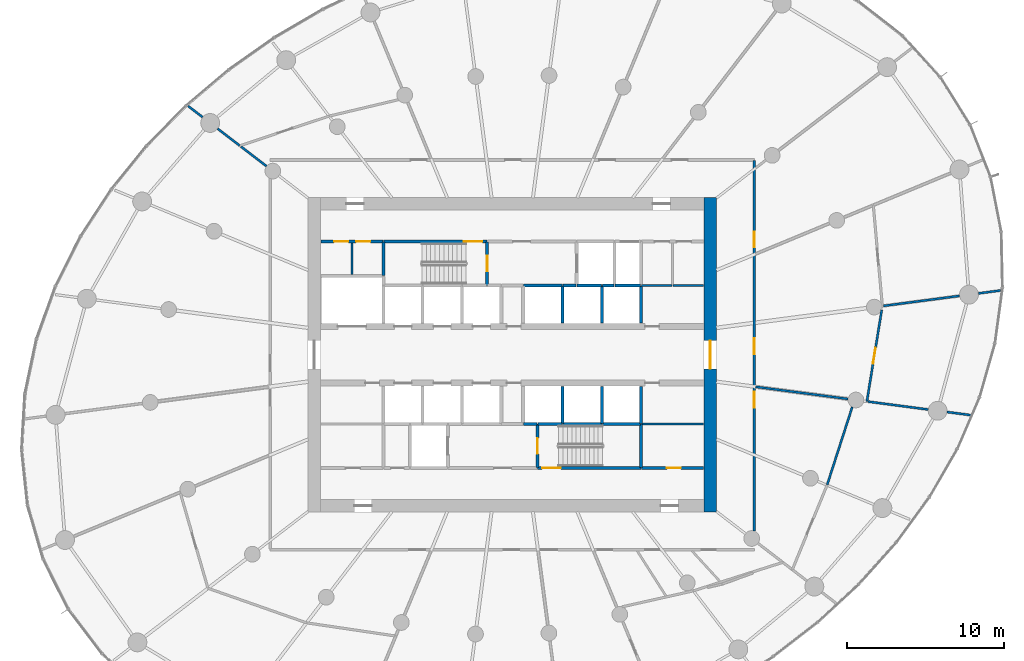
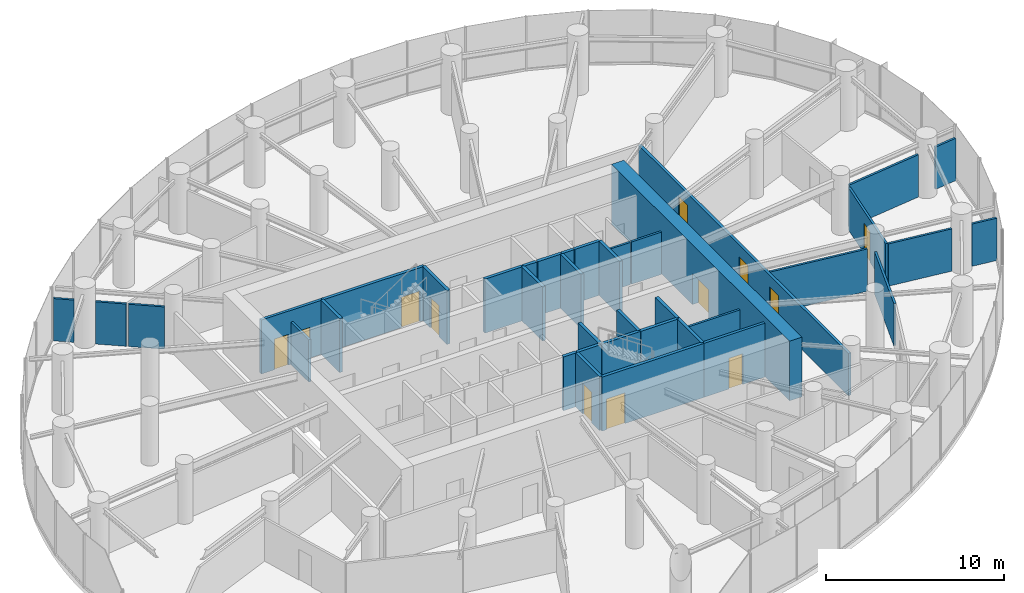
# One storey, part 12 of 17: 39 walls, 12 doors, 12 openings.
"""IFC4 building model written with IfcOpenShell, lengths in metres."""

from ifc_helpers import new_model, si_unit, direction, frame, frame_2d, origin, place, context, subcontext, project, spatial, rectangle, extrude, source, transform, mapped, material, layer, layer_set, type_object, element, fill, save


model = new_model("IFC4")

# Units and contexts
model_context = context("Model", 3, precision=1e-05, world=origin(), true_north=direction((0.0, 1.0)))
body_context = subcontext(model_context, "Body", "Model", "MODEL_VIEW")
ifc_project = project(units=[si_unit("LENGTHUNIT", "METRE"), si_unit("AREAUNIT", "SQUARE_METRE"), si_unit("VOLUMEUNIT", "CUBIC_METRE"), si_unit("PLANEANGLEUNIT", "RADIAN"), si_unit("MASSUNIT", "GRAM", prefix="KILO")], contexts=[model_context])

# Site, building, storey
site_placement = place(None, origin())
site = spatial("IfcSite", under=ifc_project, at=site_placement, CompositionType="ELEMENT")
building_placement = place(site_placement, origin())
building = spatial("IfcBuilding", under=site, at=building_placement, Name="Spindrift Exchange Tower", CompositionType="ELEMENT")
storey_placement = place(building_placement, frame((0.0, 0.0, 100.300048828125)))
storey = spatial("IfcBuildingStorey", under=building, at=storey_placement, Name="L23", CompositionType="ELEMENT", Elevation=100.300048828125)

# Wall, opening, door
ifc_material_1 = material(Name="Concrete 65 MPa", Category="concrete")
ifc_layer_1 = layer(ifc_material_1, 0.800048828125)
ifc_layer_set_1 = layer_set([ifc_layer_1], Name="RC Core Wall 800 Concrete 65 MPa")
wall_type_1 = type_object("IfcWallType", Name="RC Core Wall 800 Concrete 65 MPa", PredefinedType="SHEAR", material=ifc_layer_set_1)
wall_1_placement = place(storey_placement, frame((64.60009765625, 38.0, 0.0), z_axis=(0.0, 0.0, 1.0), x_axis=(0.0, 1.0, 0.0)))
wall_1 = element("IfcWall", 1, at=wall_1_placement, inside=storey, type_object=wall_type_1, Name="Core wall E L23", PredefinedType="SHEAR", context=body_context, shape_type="SweptSolid", body=[
    extrude(rectangle(XDim=20.0, YDim=0.800048828125, at=frame_2d((10.0, 0.0))), origin(), (0.0, 0.0, 1.0), 4.099853515625),
])
opening_1_placement = place(wall_1_placement, frame((9.10009765625, 0.0, 0.0)))
opening_1 = element("IfcOpeningElement", 2, at=opening_1_placement, cuts=wall_1, Name="Opening L23-D2", PredefinedType="OPENING", context=body_context, shape_type="SweptSolid", body=[
    extrude(rectangle(XDim=1.800048828125, YDim=2.10009765625, at=frame_2d((0.89990234375, 1.050048828125))), frame((0.0, 0.409912109375, 0.0), z_axis=(0.0, -1.0, 0.0), x_axis=(1.0, 0.0, 0.0)), (0.0, 0.0, 1.0), 0.820068359375),
])
ifc_material_2 = material(Name="Timber-core fire door", Category="wood")
door_type_1 = type_object("IfcDoorType", Name="DR-LOBBY-1800", OperationType="NOTDEFINED", PredefinedType="DOOR", material=ifc_material_2)
shared_shape_1 = source(origin(), body_context, "Body", "SweptSolid", [
    extrude(rectangle(XDim=1.800048828125, YDim=2.10009765625, at=frame_2d((0.89990234375, 1.050048828125))), frame((0.0, 0.02490234375, 0.0), z_axis=(0.0, -1.0, 0.0), x_axis=(1.0, 0.0, 0.0)), (0.0, 0.0, 1.0), 0.050048828125),
])
door_1_placement = place(opening_1_placement, origin())
door_1 = element("IfcDoor", 3, at=door_1_placement, inside=storey, type_object=door_type_1, Name="L23 Lobby door 2", OperationType="SINGLE_SWING_RIGHT", OverallHeight=2.10009765625, OverallWidth=1.800048828125, PredefinedType="DOOR", context=body_context, shape_type="MappedRepresentation", body=[
    mapped(shared_shape_1, transform((0.0, 0.0, 0.0), scale=1.0)),
])
fill(opening_1, door_1)

ifc_material_3 = material(Name="Fire-rated plasterboard partition", Category="gypsum")
ifc_layer_2 = layer(ifc_material_3, 0.179931640625)
ifc_layer_set_2 = layer_set([ifc_layer_2], Name="W-CORR-180")
wall_type_2 = type_object("IfcWallType", Name="W-CORR-180", PredefinedType="PARTITIONING", material=ifc_layer_set_2)
wall_2_placement = place(storey_placement, frame((60.22998046875, 40.800048828125, 0.0), z_axis=(0.0, 0.0, 1.0), x_axis=(1.0, 0.0, 0.0)))
wall_2 = element("IfcWall", 4, at=wall_2_placement, inside=storey, type_object=wall_type_2, Name="L23 Partition wall 61", PredefinedType="PARTITIONING", context=body_context, shape_type="SweptSolid", body=[
    extrude(rectangle(XDim=3.949951171875, YDim=0.179931640625, at=frame_2d((1.97509765625, 0.0))), origin(), (0.0, 0.0, 1.0), 3.699951171875),
])
opening_2_placement = place(wall_2_placement, frame((1.60009765625, 0.0, 0.0)))
opening_2 = element("IfcOpeningElement", 5, at=opening_2_placement, cuts=wall_2, Name="Opening L23-D53", PredefinedType="OPENING", context=body_context, shape_type="SweptSolid", body=[
    extrude(rectangle(XDim=0.89990234375, YDim=2.10009765625, at=frame_2d((0.449951171875, 1.050048828125))), frame((0.0, 0.099853515625, 0.0), z_axis=(0.0, -1.0, 0.0), x_axis=(1.0, 0.0, 0.0)), (0.0, 0.0, 1.0), 0.199951171875),
])
ifc_material_4 = material(Name="Steel access door", Category="steel")
door_type_2 = type_object("IfcDoorType", Name="DR-RISER-900", OperationType="NOTDEFINED", PredefinedType="DOOR", material=ifc_material_4)
shared_shape_2 = source(origin(), body_context, "Body", "SweptSolid", [
    extrude(rectangle(XDim=0.89990234375, YDim=2.10009765625, at=frame_2d((0.449951171875, 1.050048828125))), frame((0.0, 0.02490234375, 0.0), z_axis=(0.0, -1.0, 0.0), x_axis=(1.0, 0.0, 0.0)), (0.0, 0.0, 1.0), 0.050048828125),
])
door_2_placement = place(opening_2_placement, origin())
door_2 = element("IfcDoor", 6, at=door_2_placement, inside=storey, type_object=door_type_2, Name="L23 Riser door 53", OperationType="SINGLE_SWING_LEFT", OverallHeight=2.10009765625, OverallWidth=0.89990234375, PredefinedType="DOOR", context=body_context, shape_type="MappedRepresentation", body=[
    mapped(shared_shape_2, transform((0.0, 0.0, 0.0), scale=1.0)),
])
fill(opening_2, door_2)

# Wall, openings, doors
wall_3_placement = place(storey_placement, frame((43.77001953125, 55.199951171875, 0.0), z_axis=(0.0, 0.0, 1.0), x_axis=(-1.0, 0.0, 0.0)))
wall_3 = element("IfcWall", 7, at=wall_3_placement, inside=storey, type_object=wall_type_2, Name="L23 Partition wall 64", PredefinedType="PARTITIONING", context=body_context, shape_type="SweptSolid", body=[
    extrude(rectangle(XDim=3.949951171875, YDim=0.179931640625, at=frame_2d((1.97509765625, 0.0))), origin(), (0.0, 0.0, 1.0), 3.699951171875),
])
opening_3_placement = place(wall_3_placement, frame((2.199951171875, 0.0, 0.0)))
opening_3 = element("IfcOpeningElement", 8, at=opening_3_placement, cuts=wall_3, Name="Opening L23-D46", PredefinedType="OPENING", context=body_context, shape_type="SweptSolid", body=[
    extrude(rectangle(XDim=0.89990234375, YDim=2.10009765625, at=frame_2d((0.449951171875, 1.050048828125))), frame((0.0, 0.099853515625, 0.0), z_axis=(0.0, -1.0, 0.0), x_axis=(1.0, 0.0, 0.0)), (0.0, 0.0, 1.0), 0.199951171875),
])
opening_4_placement = place(wall_3_placement, frame((0.800048828125, 0.0, 0.0)))
opening_4 = element("IfcOpeningElement", 9, at=opening_4_placement, cuts=wall_3, Name="Opening L23-D47", PredefinedType="OPENING", context=body_context, shape_type="SweptSolid", body=[
    extrude(rectangle(XDim=0.89990234375, YDim=2.10009765625, at=frame_2d((0.449951171875, 1.050048828125))), frame((0.0, 0.099853515625, 0.0), z_axis=(0.0, -1.0, 0.0), x_axis=(1.0, 0.0, 0.0)), (0.0, 0.0, 1.0), 0.199951171875),
])
door_3_placement = place(opening_3_placement, origin())
door_3 = element("IfcDoor", 10, at=door_3_placement, inside=storey, type_object=door_type_2, Name="L23 Riser door 46", OperationType="SINGLE_SWING_RIGHT", OverallHeight=2.10009765625, OverallWidth=0.89990234375, PredefinedType="DOOR", context=body_context, shape_type="MappedRepresentation", body=[
    mapped(shared_shape_2, transform((0.0, 0.0, 0.0), scale=1.0)),
])
fill(opening_3, door_3)
door_4_placement = place(opening_4_placement, origin())
door_4 = element("IfcDoor", 11, at=door_4_placement, inside=storey, type_object=door_type_2, Name="L23 Riser door 47", OperationType="SINGLE_SWING_LEFT", OverallHeight=2.10009765625, OverallWidth=0.89990234375, PredefinedType="DOOR", context=body_context, shape_type="MappedRepresentation", body=[
    mapped(shared_shape_2, transform((0.0, 0.0, 0.0), scale=1.0)),
])
fill(opening_4, door_4)

# Walls
ifc_layer_3 = layer(ifc_material_3, 0.139892578125)
ifc_layer_set_3 = layer_set([ifc_layer_3], Name="W-PART-140")
wall_type_3 = type_object("IfcWallType", Name="W-PART-140", PredefinedType="PARTITIONING", material=ifc_layer_set_3)
wall_4_placement = place(storey_placement, frame((60.22998046875, 43.60009765625, 0.0), z_axis=(0.0, 0.0, 1.0), x_axis=(1.0, 0.0, 0.0)))
element("IfcWall", 12, at=wall_4_placement, inside=storey, type_object=wall_type_3, Name="L23 Partition wall 93", PredefinedType="PARTITIONING", context=body_context, shape_type="SweptSolid", body=[
    extrude(rectangle(XDim=3.949951171875, YDim=0.139892578125, at=frame_2d((1.97509765625, 0.0))), origin(), (0.0, 0.0, 1.0), 2.89990234375),
])
wall_5_placement = place(storey_placement, frame((74.631591796875, 45.0205078125, 0.0), z_axis=(0.0, 0.0, 1.0), x_axis=(0.991447632366, -0.130505142718, 0.0)))
element("IfcWall", 13, at=wall_5_placement, inside=storey, type_object=wall_type_3, Name="L23 Partition wall 97", PredefinedType="PARTITIONING", context=body_context, shape_type="SweptSolid", body=[
    extrude(rectangle(XDim=3.86669921875, YDim=0.139892578125, at=frame_2d((1.933349609375, 0.0))), origin(), (0.0, 0.0, 1.0), 2.89990234375),
])
wall_6_placement = place(storey_placement, frame((41.800048828125, 53.10009765625, 0.0), z_axis=(0.0, 0.0, 1.0), x_axis=(0.0, 1.0, 0.0)))
element("IfcWall", 14, at=wall_6_placement, inside=storey, type_object=wall_type_3, Name="L23 Partition wall 102", PredefinedType="PARTITIONING", context=body_context, shape_type="SweptSolid", body=[
    extrude(rectangle(XDim=2.010009765625, YDim=0.139892578125, at=frame_2d((1.0048828125, 0.0))), origin(), (0.0, 0.0, 1.0), 2.89990234375),
])
wall_7_placement = place(storey_placement, frame((62.169921875, 52.39990234375, 0.0), z_axis=(0.0, 0.0, 1.0), x_axis=(-1.0, 0.0, 0.0)))
element("IfcWall", 15, at=wall_7_placement, inside=storey, type_object=wall_type_3, Name="L23 Partition wall 105", PredefinedType="PARTITIONING", context=body_context, shape_type="SweptSolid", body=[
    extrude(rectangle(XDim=1.93994140625, YDim=0.139892578125, at=frame_2d((0.969970703125, 0.0))), origin(), (0.0, 0.0, 1.0), 2.89990234375),
])
wall_8_placement = place(storey_placement, frame((64.179931640625, 52.39990234375, 0.0), z_axis=(0.0, 0.0, 1.0), x_axis=(-1.0, 0.0, 0.0)))
element("IfcWall", 16, at=wall_8_placement, inside=storey, type_object=wall_type_3, Name="L23 Partition wall 107", PredefinedType="PARTITIONING", context=body_context, shape_type="SweptSolid", body=[
    extrude(rectangle(XDim=1.949951171875, YDim=0.139892578125, at=frame_2d((0.97509765625, 0.0))), origin(), (0.0, 0.0, 1.0), 2.89990234375),
])
wall_9_placement = place(storey_placement, frame((79.663818359375, 44.35791015625, 0.0), z_axis=(0.0, 0.0, 1.0), x_axis=(0.991447745975, -0.130504279629, 0.0)))
element("IfcWall", 17, at=wall_9_placement, inside=storey, type_object=wall_type_3, Name="L23 Partition wall 112", PredefinedType="PARTITIONING", context=body_context, shape_type="SweptSolid", body=[
    extrude(rectangle(XDim=1.522705078125, YDim=0.139892578125, at=frame_2d((0.76123046875, 0.0))), origin(), (0.0, 0.0, 1.0), 2.89990234375),
])
ifc_layer_4 = layer(ifc_material_3, 0.139892578125)
ifc_layer_set_4 = layer_set([ifc_layer_4], Name="W-PLANT-140")
wall_type_4 = type_object("IfcWallType", Name="W-PLANT-140", PredefinedType="PARTITIONING", material=ifc_layer_set_4)
wall_10_placement = place(storey_placement, frame((67.489990234375, 45.960693359375, 0.0), z_axis=(0.0, 0.0, 1.0), x_axis=(0.991445034615, -0.130524876315, 0.0)))
element("IfcWall", 18, at=wall_10_placement, inside=storey, type_object=wall_type_4, Name="L23 Partition wall 74", PredefinedType="PARTITIONING", context=body_context, shape_type="SweptSolid", body=[
    extrude(rectangle(XDim=5.923828125, YDim=0.139892578125, at=frame_2d((2.9619140625, 0.0))), origin(), (0.0, 0.0, 1.0), 2.89990234375),
])

# Wall, opening, door
wall_11_placement = place(storey_placement, frame((75.50732421875, 50.858154296875, 0.0), z_axis=(0.0, 0.0, 1.0), x_axis=(-0.160052648202, -0.987108479248, 0.0)))
wall_11 = element("IfcWall", 19, at=wall_11_placement, inside=storey, type_object=wall_type_4, Name="L23 Partition wall 77", PredefinedType="PARTITIONING", context=body_context, shape_type="SweptSolid", body=[
    extrude(rectangle(XDim=5.90478515625, YDim=0.139892578125, at=frame_2d((2.952392578125, 0.0))), origin(), (0.0, 0.0, 1.0), 2.89990234375),
])
opening_5_placement = place(wall_11_placement, frame((2.45458984375, 0.0, 0.0)))
opening_5 = element("IfcOpeningElement", 20, at=opening_5_placement, cuts=wall_11, Name="Opening L23-D31", PredefinedType="OPENING", context=body_context, shape_type="SweptSolid", body=[
    extrude(rectangle(XDim=1.0, YDim=2.10009765625, at=frame_2d((0.5, 1.050048828125))), frame((0.0, 0.079833984375, 0.0), z_axis=(0.0, -1.0, 0.0), x_axis=(1.0, 0.0, 0.0)), (0.0, 0.0, 1.0), 0.159912109375),
])
door_type_3 = type_object("IfcDoorType", Name="DR-ROOM-1000", OperationType="NOTDEFINED", PredefinedType="DOOR", material=ifc_material_2)
shared_shape_3 = source(origin(), body_context, "Body", "SweptSolid", [
    extrude(rectangle(XDim=1.0, YDim=2.10009765625, at=frame_2d((0.5, 1.050048828125))), frame((0.0, 0.02490234375, 0.0), z_axis=(0.0, -1.0, 0.0), x_axis=(1.0, 0.0, 0.0)), (0.0, 0.0, 1.0), 0.050048828125),
])
door_5_placement = place(opening_5_placement, origin())
door_5 = element("IfcDoor", 21, at=door_5_placement, inside=storey, type_object=door_type_3, Name="L23 Door 31", OperationType="SINGLE_SWING_LEFT", OverallHeight=2.10009765625, OverallWidth=1.0, PredefinedType="DOOR", context=body_context, shape_type="MappedRepresentation", body=[
    mapped(shared_shape_3, transform((0.0, 0.0, 0.0), scale=1.0)),
])
fill(opening_5, door_5)

# Walls
wall_12_placement = place(storey_placement, frame((72.037109375, 39.732666015625, 0.0), z_axis=(0.0, 0.0, 1.0), x_axis=(0.307028885335, 0.951700196265, 0.0)))
element("IfcWall", 22, at=wall_12_placement, inside=storey, type_object=wall_type_4, Name="L23 Partition wall 82", PredefinedType="PARTITIONING", context=body_context, shape_type="SweptSolid", body=[
    extrude(rectangle(XDim=5.191650390625, YDim=0.139892578125, at=frame_2d((2.595703125, 0.0))), origin(), (0.0, 0.0, 1.0), 2.89990234375),
])
wall_13_placement = place(storey_placement, frame((75.615966796875, 51.109130859375, 0.0), z_axis=(0.0, 0.0, 1.0), x_axis=(0.991441867731, 0.130548929177, 0.0)))
element("IfcWall", 23, at=wall_13_placement, inside=storey, type_object=wall_type_4, Name="L23 Partition wall 86", PredefinedType="PARTITIONING", context=body_context, shape_type="SweptSolid", body=[
    extrude(rectangle(XDim=4.8828125, YDim=0.139892578125, at=frame_2d((2.44140625, 0.0))), origin(), (0.0, 0.0, 1.0), 2.89990234375),
])
wall_14_placement = place(storey_placement, frame((36.367431640625, 59.995361328125, 0.0), z_axis=(0.0, 0.0, 1.0), x_axis=(-0.793389614633, 0.608714152449, 0.0)))
element("IfcWall", 24, at=wall_14_placement, inside=storey, type_object=wall_type_4, Name="L23 Partition wall 103", PredefinedType="PARTITIONING", context=body_context, shape_type="SweptSolid", body=[
    extrude(rectangle(XDim=2.049072265625, YDim=0.139892578125, at=frame_2d((1.0244140625, 0.0))), origin(), (0.0, 0.0, 1.0), 2.89990234375),
])
wall_15_placement = place(storey_placement, frame((34.65087890625, 61.3125, 0.0), z_axis=(0.0, 0.0, 1.0), x_axis=(-0.793368751306, 0.608741344456, 0.0)))
element("IfcWall", 25, at=wall_15_placement, inside=storey, type_object=wall_type_4, Name="L23 Partition wall 108", PredefinedType="PARTITIONING", context=body_context, shape_type="SweptSolid", body=[
    extrude(rectangle(XDim=1.75341796875, YDim=0.139892578125, at=frame_2d((0.876708984375, 0.0))), origin(), (0.0, 0.0, 1.0), 2.89990234375),
])
wall_16_placement = place(storey_placement, frame((81.655517578125, 51.904296875, 0.0), z_axis=(0.0, 0.0, 1.0), x_axis=(0.991440859851, 0.130556583206, 0.0)))
element("IfcWall", 26, at=wall_16_placement, inside=storey, type_object=wall_type_4, Name="L23 Partition wall 114", PredefinedType="PARTITIONING", context=body_context, shape_type="SweptSolid", body=[
    extrude(rectangle(XDim=1.423095703125, YDim=0.139892578125, at=frame_2d((0.71142578125, 0.0))), origin(), (0.0, 0.0, 1.0), 2.89990234375),
])
wall_17_placement = place(storey_placement, frame((32.30078125, 63.11572265625, 0.0), z_axis=(0.0, 0.0, 1.0), x_axis=(-0.793332880396, 0.608788091935, 0.0)))
element("IfcWall", 27, at=wall_17_placement, inside=storey, type_object=wall_type_4, Name="L23 Partition wall 117", PredefinedType="PARTITIONING", context=body_context, shape_type="SweptSolid", body=[
    extrude(rectangle(XDim=1.1640625, YDim=0.139892578125, at=frame_2d((0.58203125, 0.0))), origin(), (0.0, 0.0, 1.0), 2.89990234375),
])

# Wall, openings, doors
ifc_layer_5 = layer(ifc_material_3, 0.179931640625)
ifc_layer_set_5 = layer_set([ifc_layer_5], Name="W-PLANT-180")
wall_type_5 = type_object("IfcWallType", Name="W-PLANT-180", PredefinedType="PARTITIONING", material=ifc_layer_set_5)
wall_18_placement = place(storey_placement, frame((67.39990234375, 60.3701171875, 0.0), z_axis=(0.0, 0.0, 1.0), x_axis=(0.0, -1.0, 0.0)))
wall_18 = element("IfcWall", 28, at=wall_18_placement, inside=storey, type_object=wall_type_5, Name="L23 Partition wall 59", PredefinedType="PARTITIONING", context=body_context, shape_type="SweptSolid", body=[
    extrude(rectangle(XDim=23.58251953125, YDim=0.179931640625, at=frame_2d((11.791259765625, 0.0))), origin(), (0.0, 0.0, 1.0), 2.89990234375),
])
opening_6_placement = place(wall_18_placement, frame((14.732421875, 0.0, 0.0)))
opening_6 = element("IfcOpeningElement", 29, at=opening_6_placement, cuts=wall_18, Name="Opening L23-D27", PredefinedType="OPENING", context=body_context, shape_type="SweptSolid", body=[
    extrude(rectangle(XDim=1.0, YDim=2.10009765625, at=frame_2d((0.5, 1.050048828125))), frame((0.0, 0.099853515625, 0.0), z_axis=(0.0, -1.0, 0.0), x_axis=(1.0, 0.0, 0.0)), (0.0, 0.0, 1.0), 0.199951171875),
])
opening_7_placement = place(wall_18_placement, frame((11.33251953125, 0.0, 0.0)))
opening_7 = element("IfcOpeningElement", 30, at=opening_7_placement, cuts=wall_18, Name="Opening L23-D30", PredefinedType="OPENING", context=body_context, shape_type="SweptSolid", body=[
    extrude(rectangle(XDim=1.0, YDim=2.10009765625, at=frame_2d((0.5, 1.050048828125))), frame((0.0, 0.099853515625, 0.0), z_axis=(0.0, -1.0, 0.0), x_axis=(1.0, 0.0, 0.0)), (0.0, 0.0, 1.0), 0.199951171875),
])
opening_8_placement = place(wall_18_placement, frame((4.532470703125, 0.0, 0.0)))
opening_8 = element("IfcOpeningElement", 31, at=opening_8_placement, cuts=wall_18, Name="Opening L23-D33", PredefinedType="OPENING", context=body_context, shape_type="SweptSolid", body=[
    extrude(rectangle(XDim=1.0, YDim=2.10009765625, at=frame_2d((0.5, 1.050048828125))), frame((0.0, 0.099853515625, 0.0), z_axis=(0.0, -1.0, 0.0), x_axis=(1.0, 0.0, 0.0)), (0.0, 0.0, 1.0), 0.199951171875),
])
door_6_placement = place(opening_6_placement, origin())
door_6 = element("IfcDoor", 32, at=door_6_placement, inside=storey, type_object=door_type_3, Name="L23 Door 27", OperationType="SINGLE_SWING_LEFT", OverallHeight=2.10009765625, OverallWidth=1.0, PredefinedType="DOOR", context=body_context, shape_type="MappedRepresentation", body=[
    mapped(shared_shape_3, transform((0.0, 0.0, 0.0), scale=1.0)),
])
fill(opening_6, door_6)
door_7_placement = place(opening_7_placement, origin())
door_7 = element("IfcDoor", 33, at=door_7_placement, inside=storey, type_object=door_type_3, Name="L23 Door 30", OperationType="SINGLE_SWING_RIGHT", OverallHeight=2.10009765625, OverallWidth=1.0, PredefinedType="DOOR", context=body_context, shape_type="MappedRepresentation", body=[
    mapped(shared_shape_3, transform((0.0, 0.0, 0.0), scale=1.0)),
])
fill(opening_7, door_7)
door_8_placement = place(opening_8_placement, origin())
door_8 = element("IfcDoor", 34, at=door_8_placement, inside=storey, type_object=door_type_3, Name="L23 Door 33", OperationType="SINGLE_SWING_LEFT", OverallHeight=2.10009765625, OverallWidth=1.0, PredefinedType="DOOR", context=body_context, shape_type="MappedRepresentation", body=[
    mapped(shared_shape_3, transform((0.0, 0.0, 0.0), scale=1.0)),
])
fill(opening_8, door_8)

# Walls
ifc_material_5 = material(Name="Concrete 40 MPa", Category="concrete")
ifc_layer_6 = layer(ifc_material_5, 0.199951171875)
ifc_layer_set_6 = layer_set([ifc_layer_6], Name="W-SHAFT-200")
wall_type_6 = type_object("IfcWallType", Name="W-SHAFT-200", PredefinedType="SOLIDWALL", material=ifc_layer_set_6)
wall_19_placement = place(storey_placement, frame((55.199951171875, 52.39990234375, 0.0), z_axis=(0.0, 0.0, 1.0), x_axis=(-1.0, 0.0, 0.0)))
element("IfcWall", 35, at=wall_19_placement, inside=storey, type_object=wall_type_6, Name="L23 Shaft wall 18", PredefinedType="SOLIDWALL", context=body_context, shape_type="SweptSolid", body=[
    extrude(rectangle(XDim=2.5, YDim=0.199951171875, at=frame_2d((1.25, 0.0))), origin(), (0.0, 0.0, 1.0), 3.699951171875),
])
wall_20_placement = place(storey_placement, frame((55.199951171875, 50.010009765625, 0.0), z_axis=(0.0, 0.0, 1.0), x_axis=(0.0, 1.0, 0.0)))
element("IfcWall", 36, at=wall_20_placement, inside=storey, type_object=wall_type_6, Name="L23 Shaft wall 34", PredefinedType="SOLIDWALL", context=body_context, shape_type="SweptSolid", body=[
    extrude(rectangle(XDim=2.360107421875, YDim=0.199951171875, at=frame_2d((1.18017578125, 0.0))), origin(), (0.0, 0.0, 1.0), 3.699951171875),
])
wall_21_placement = place(storey_placement, frame((57.699951171875, 50.010009765625, 0.0), z_axis=(0.0, 0.0, 1.0), x_axis=(0.0, 1.0, 0.0)))
element("IfcWall", 37, at=wall_21_placement, inside=storey, type_object=wall_type_6, Name="L23 Shaft wall 36", PredefinedType="SOLIDWALL", context=body_context, shape_type="SweptSolid", body=[
    extrude(rectangle(XDim=2.389892578125, YDim=0.199951171875, at=frame_2d((1.19482421875, 0.0))), origin(), (0.0, 0.0, 1.0), 3.699951171875),
])
wall_22_placement = place(storey_placement, frame((60.199951171875, 50.010009765625, 0.0), z_axis=(0.0, 0.0, 1.0), x_axis=(0.0, 1.0, 0.0)))
element("IfcWall", 38, at=wall_22_placement, inside=storey, type_object=wall_type_6, Name="L23 Shaft wall 38", PredefinedType="SOLIDWALL", context=body_context, shape_type="SweptSolid", body=[
    extrude(rectangle(XDim=2.360107421875, YDim=0.199951171875, at=frame_2d((1.18017578125, 0.0))), origin(), (0.0, 0.0, 1.0), 3.699951171875),
])
wall_23_placement = place(storey_placement, frame((60.169921875, 52.39990234375, 0.0), z_axis=(0.0, 0.0, 1.0), x_axis=(-1.0, 0.0, 0.0)))
element("IfcWall", 39, at=wall_23_placement, inside=storey, type_object=wall_type_6, Name="L23 Shaft wall 42", PredefinedType="SOLIDWALL", context=body_context, shape_type="SweptSolid", body=[
    extrude(rectangle(XDim=1.639892578125, YDim=0.199951171875, at=frame_2d((0.81982421875, 0.0))), origin(), (0.0, 0.0, 1.0), 3.699951171875),
])
wall_24_placement = place(storey_placement, frame((57.669921875, 52.39990234375, 0.0), z_axis=(0.0, 0.0, 1.0), x_axis=(-1.0, 0.0, 0.0)))
element("IfcWall", 40, at=wall_24_placement, inside=storey, type_object=wall_type_6, Name="L23 Shaft wall 47", PredefinedType="SOLIDWALL", context=body_context, shape_type="SweptSolid", body=[
    extrude(rectangle(XDim=1.5400390625, YDim=0.199951171875, at=frame_2d((0.77001953125, 0.0))), origin(), (0.0, 0.0, 1.0), 3.699951171875),
])
wall_25_placement = place(storey_placement, frame((56.070068359375, 52.39990234375, 0.0), z_axis=(0.0, 0.0, 1.0), x_axis=(-1.0, 0.0, 0.0)))
element("IfcWall", 41, at=wall_25_placement, inside=storey, type_object=wall_type_6, Name="L23 Shaft wall 53", PredefinedType="SOLIDWALL", context=body_context, shape_type="SweptSolid", body=[
    extrude(rectangle(XDim=0.840087890625, YDim=0.199951171875, at=frame_2d((0.419921875, 0.0))), origin(), (0.0, 0.0, 1.0), 3.699951171875),
])
wall_26_placement = place(storey_placement, frame((58.469970703125, 52.39990234375, 0.0), z_axis=(0.0, 0.0, 1.0), x_axis=(-1.0, 0.0, 0.0)))
element("IfcWall", 42, at=wall_26_placement, inside=storey, type_object=wall_type_6, Name="L23 Shaft wall 55", PredefinedType="SOLIDWALL", context=body_context, shape_type="SweptSolid", body=[
    extrude(rectangle(XDim=0.739990234375, YDim=0.199951171875, at=frame_2d((0.3701171875, 0.0))), origin(), (0.0, 0.0, 1.0), 3.699951171875),
])

# Wall, opening, door
ifc_layer_7 = layer(ifc_material_5, 0.199951171875)
ifc_layer_set_7 = layer_set([ifc_layer_7], Name="W-SHAFT-200-LB")
wall_type_7 = type_object("IfcWallType", Name="W-SHAFT-200-LB", PredefinedType="SOLIDWALL", material=ifc_layer_set_7)
wall_27_placement = place(storey_placement, frame((50.39990234375, 55.199951171875, 0.0), z_axis=(0.0, 0.0, 1.0), x_axis=(-1.0, 0.0, 0.0)))
wall_27 = element("IfcWall", 43, at=wall_27_placement, inside=storey, type_object=wall_type_7, Name="L23 Shaft wall 1", PredefinedType="SOLIDWALL", context=body_context, shape_type="SweptSolid", body=[
    extrude(rectangle(XDim=6.599853515625, YDim=0.199951171875, at=frame_2d((3.2998046875, 0.0))), origin(), (0.0, 0.0, 1.0), 3.699951171875),
])
opening_9_placement = place(wall_27_placement, frame((0.300048828125, 0.0, 0.0)))
opening_9 = element("IfcOpeningElement", 44, at=opening_9_placement, cuts=wall_27, Name="Opening L23-D13", PredefinedType="OPENING", context=body_context, shape_type="SweptSolid", body=[
    extrude(rectangle(XDim=1.199951171875, YDim=2.10009765625, at=frame_2d((0.60009765625, 1.050048828125))), frame((0.0, 0.10986328125, 0.0), z_axis=(0.0, -1.0, 0.0), x_axis=(1.0, 0.0, 0.0)), (0.0, 0.0, 1.0), 0.219970703125),
])
ifc_material_6 = material(Name="Steel fire door", Category="steel")
door_type_4 = type_object("IfcDoorType", Name="DR-STAIR-1200", OperationType="NOTDEFINED", PredefinedType="DOOR", material=ifc_material_6)
shared_shape_4 = source(origin(), body_context, "Body", "SweptSolid", [
    extrude(rectangle(XDim=1.199951171875, YDim=2.10009765625, at=frame_2d((0.60009765625, 1.050048828125))), frame((0.0, 0.02490234375, 0.0), z_axis=(0.0, -1.0, 0.0), x_axis=(1.0, 0.0, 0.0)), (0.0, 0.0, 1.0), 0.050048828125),
])
door_9_placement = place(opening_9_placement, origin())
door_9 = element("IfcDoor", 45, at=door_9_placement, inside=storey, type_object=door_type_4, Name="L23 Stair door 13", OperationType="SINGLE_SWING_LEFT", OverallHeight=2.10009765625, OverallWidth=1.199951171875, PredefinedType="DOOR", context=body_context, shape_type="MappedRepresentation", body=[
    mapped(shared_shape_4, transform((0.0, 0.0, 0.0), scale=1.0)),
])
fill(opening_9, door_9)

wall_28_placement = place(storey_placement, frame((53.60009765625, 40.800048828125, 0.0), z_axis=(0.0, 0.0, 1.0), x_axis=(1.0, 0.0, 0.0)))
wall_28 = element("IfcWall", 46, at=wall_28_placement, inside=storey, type_object=wall_type_7, Name="L23 Shaft wall 2", PredefinedType="SOLIDWALL", context=body_context, shape_type="SweptSolid", body=[
    extrude(rectangle(XDim=6.599853515625, YDim=0.199951171875, at=frame_2d((3.2998046875, 0.0))), origin(), (0.0, 0.0, 1.0), 3.699951171875),
])
opening_10_placement = place(wall_28_placement, frame((0.300048828125, 0.0, 0.0)))
opening_10 = element("IfcOpeningElement", 47, at=opening_10_placement, cuts=wall_28, Name="Opening L23-D16", PredefinedType="OPENING", context=body_context, shape_type="SweptSolid", body=[
    extrude(rectangle(XDim=1.199951171875, YDim=2.10009765625, at=frame_2d((0.60009765625, 1.050048828125))), frame((0.0, 0.10986328125, 0.0), z_axis=(0.0, -1.0, 0.0), x_axis=(1.0, 0.0, 0.0)), (0.0, 0.0, 1.0), 0.219970703125),
])
door_10_placement = place(opening_10_placement, origin())
door_10 = element("IfcDoor", 48, at=door_10_placement, inside=storey, type_object=door_type_4, Name="L23 Stair door 16", OperationType="SINGLE_SWING_RIGHT", OverallHeight=2.10009765625, OverallWidth=1.199951171875, PredefinedType="DOOR", context=body_context, shape_type="MappedRepresentation", body=[
    mapped(shared_shape_4, transform((0.0, 0.0, 0.0), scale=1.0)),
])
fill(opening_10, door_10)

wall_29_placement = place(storey_placement, frame((50.39990234375, 52.39990234375, 0.0), z_axis=(0.0, 0.0, 1.0), x_axis=(0.0, 1.0, 0.0)))
wall_29 = element("IfcWall", 49, at=wall_29_placement, inside=storey, type_object=wall_type_7, Name="L23 Shaft wall 9", PredefinedType="SOLIDWALL", context=body_context, shape_type="SweptSolid", body=[
    extrude(rectangle(XDim=2.77001953125, YDim=0.199951171875, at=frame_2d((1.385009765625, 0.0))), origin(), (0.0, 0.0, 1.0), 3.699951171875),
])
opening_11_placement = place(wall_29_placement, frame((0.89990234375, 0.0, 0.0)))
opening_11 = element("IfcOpeningElement", 50, at=opening_11_placement, cuts=wall_29, Name="Opening L23-D14", PredefinedType="OPENING", context=body_context, shape_type="SweptSolid", body=[
    extrude(rectangle(XDim=1.0, YDim=2.10009765625, at=frame_2d((0.5, 1.050048828125))), frame((0.0, 0.10986328125, 0.0), z_axis=(0.0, -1.0, 0.0), x_axis=(1.0, 0.0, 0.0)), (0.0, 0.0, 1.0), 0.219970703125),
])
door_type_5 = type_object("IfcDoorType", Name="DR-STAIR-1000", OperationType="NOTDEFINED", PredefinedType="DOOR", material=ifc_material_6)
shared_shape_5 = source(origin(), body_context, "Body", "SweptSolid", [
    extrude(rectangle(XDim=1.0, YDim=2.10009765625, at=frame_2d((0.5, 1.050048828125))), frame((0.0, 0.02490234375, 0.0), z_axis=(0.0, -1.0, 0.0), x_axis=(1.0, 0.0, 0.0)), (0.0, 0.0, 1.0), 0.050048828125),
])
door_11_placement = place(opening_11_placement, origin())
door_11 = element("IfcDoor", 51, at=door_11_placement, inside=storey, type_object=door_type_5, Name="L23 Stair door 14", OperationType="SINGLE_SWING_RIGHT", OverallHeight=2.10009765625, OverallWidth=1.0, PredefinedType="DOOR", context=body_context, shape_type="MappedRepresentation", body=[
    mapped(shared_shape_5, transform((0.0, 0.0, 0.0), scale=1.0)),
])
fill(opening_11, door_11)

# Wall
wall_30_placement = place(storey_placement, frame((60.199951171875, 40.830078125, 0.0), z_axis=(0.0, 0.0, 1.0), x_axis=(0.0, 1.0, 0.0)))
element("IfcWall", 52, at=wall_30_placement, inside=storey, type_object=wall_type_7, Name="L23 Shaft wall 10", PredefinedType="SOLIDWALL", context=body_context, shape_type="SweptSolid", body=[
    extrude(rectangle(XDim=2.77001953125, YDim=0.199951171875, at=frame_2d((1.385009765625, 0.0))), origin(), (0.0, 0.0, 1.0), 3.699951171875),
])

# Wall, opening, door
wall_31_placement = place(storey_placement, frame((53.60009765625, 43.60009765625, 0.0), z_axis=(0.0, 0.0, 1.0), x_axis=(0.0, -1.0, 0.0)))
wall_31 = element("IfcWall", 53, at=wall_31_placement, inside=storey, type_object=wall_type_7, Name="L23 Shaft wall 11", PredefinedType="SOLIDWALL", context=body_context, shape_type="SweptSolid", body=[
    extrude(rectangle(XDim=2.77001953125, YDim=0.199951171875, at=frame_2d((1.385009765625, 0.0))), origin(), (0.0, 0.0, 1.0), 3.699951171875),
])
opening_12_placement = place(wall_31_placement, frame((0.89990234375, 0.0, 0.0)))
opening_12 = element("IfcOpeningElement", 54, at=opening_12_placement, cuts=wall_31, Name="Opening L23-D17", PredefinedType="OPENING", context=body_context, shape_type="SweptSolid", body=[
    extrude(rectangle(XDim=1.0, YDim=2.10009765625, at=frame_2d((0.5, 1.050048828125))), frame((0.0, 0.10986328125, 0.0), z_axis=(0.0, -1.0, 0.0), x_axis=(1.0, 0.0, 0.0)), (0.0, 0.0, 1.0), 0.219970703125),
])
door_12_placement = place(opening_12_placement, origin())
door_12 = element("IfcDoor", 55, at=door_12_placement, inside=storey, type_object=door_type_5, Name="L23 Stair door 17", OperationType="SINGLE_SWING_LEFT", OverallHeight=2.10009765625, OverallWidth=1.0, PredefinedType="DOOR", context=body_context, shape_type="MappedRepresentation", body=[
    mapped(shared_shape_5, transform((0.0, 0.0, 0.0), scale=1.0)),
])
fill(opening_12, door_12)

# Walls
wall_32_placement = place(storey_placement, frame((55.199951171875, 43.60009765625, 0.0), z_axis=(0.0, 0.0, 1.0), x_axis=(1.0, 0.0, 0.0)))
element("IfcWall", 56, at=wall_32_placement, inside=storey, type_object=wall_type_7, Name="L23 Shaft wall 19", PredefinedType="SOLIDWALL", context=body_context, shape_type="SweptSolid", body=[
    extrude(rectangle(XDim=2.5, YDim=0.199951171875, at=frame_2d((1.25, 0.0))), origin(), (0.0, 0.0, 1.0), 3.699951171875),
])
wall_33_placement = place(storey_placement, frame((57.72998046875, 43.60009765625, 0.0), z_axis=(0.0, 0.0, 1.0), x_axis=(1.0, 0.0, 0.0)))
element("IfcWall", 57, at=wall_33_placement, inside=storey, type_object=wall_type_7, Name="L23 Shaft wall 20", PredefinedType="SOLIDWALL", context=body_context, shape_type="SweptSolid", body=[
    extrude(rectangle(XDim=2.43994140625, YDim=0.199951171875, at=frame_2d((1.219970703125, 0.0))), origin(), (0.0, 0.0, 1.0), 3.699951171875),
])
for number, where, z_axis, x_axis, name in (
    (58, (55.199951171875, 43.6298828125, 0.0), (0.0, 0.0, 1.0), (0.0, 1.0, 0.0), "L23 Shaft wall 33"),
    (59, (57.699951171875, 43.6298828125, 0.0), (0.0, 0.0, 1.0), (0.0, 1.0, 0.0), "L23 Shaft wall 35"),
    (60, (60.199951171875, 43.6298828125, 0.0), (0.0, 0.0, 1.0), (0.0, 1.0, 0.0), "L23 Shaft wall 37"),
):
    element("IfcWall", number, at=place(storey_placement, frame(where, z_axis=z_axis, x_axis=x_axis)), inside=storey, type_object=wall_type_7, Name=name, PredefinedType="SOLIDWALL", context=body_context, shape_type="SweptSolid", body=[
        extrude(rectangle(XDim=2.360107421875, YDim=0.199951171875, at=frame_2d((1.18017578125, 0.0))), origin(), (0.0, 0.0, 1.0), 3.699951171875),
    ])
wall_34_placement = place(storey_placement, frame((43.800048828125, 55.169921875, 0.0), z_axis=(0.0, 0.0, 1.0), x_axis=(0.0, -1.0, 0.0)))
element("IfcWall", 61, at=wall_34_placement, inside=storey, type_object=wall_type_7, Name="L23 Shaft wall 39", PredefinedType="SOLIDWALL", context=body_context, shape_type="SweptSolid", body=[
    extrude(rectangle(XDim=2.139892578125, YDim=0.199951171875, at=frame_2d((1.06982421875, 0.0))), origin(), (0.0, 0.0, 1.0), 3.699951171875),
])
wall_35_placement = place(storey_placement, frame((53.6298828125, 43.60009765625, 0.0), z_axis=(0.0, 0.0, 1.0), x_axis=(1.0, 0.0, 0.0)))
element("IfcWall", 62, at=wall_35_placement, inside=storey, type_object=wall_type_7, Name="L23 Shaft wall 46", PredefinedType="SOLIDWALL", context=body_context, shape_type="SweptSolid", body=[
    extrude(rectangle(XDim=1.5400390625, YDim=0.199951171875, at=frame_2d((0.77001953125, 0.0))), origin(), (0.0, 0.0, 1.0), 3.699951171875),
])
wall_36_placement = place(storey_placement, frame((52.72998046875, 43.60009765625, 0.0), z_axis=(0.0, 0.0, 1.0), x_axis=(1.0, 0.0, 0.0)))
element("IfcWall", 63, at=wall_36_placement, inside=storey, type_object=wall_type_7, Name="L23 Shaft wall 52", PredefinedType="SOLIDWALL", context=body_context, shape_type="SweptSolid", body=[
    extrude(rectangle(XDim=0.840087890625, YDim=0.199951171875, at=frame_2d((0.419921875, 0.0))), origin(), (0.0, 0.0, 1.0), 3.699951171875),
])

save(model, "model.ifc")
